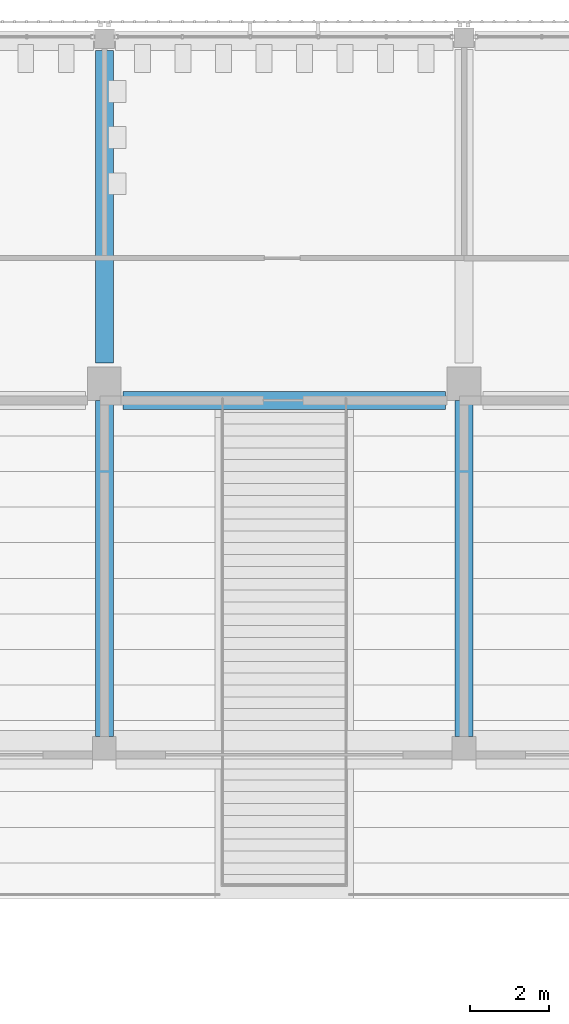
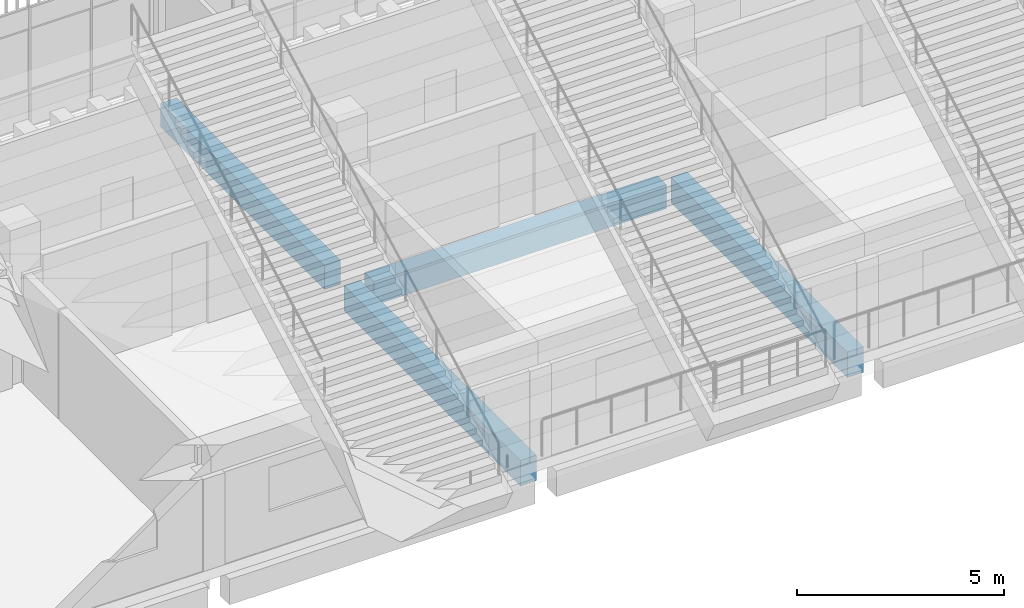
# One storey, part 46 of 139: 4 beams.
"""IFC4 building model written with IfcOpenShell, lengths in metres."""

from ifc_helpers import new_model, si_unit, direction, frame, origin, origin_2d, place, context, subcontext, project, spatial, rectangle, extrude, material, material_profile, profile_set, type_object, element, save


model = new_model("IFC4")

# Units and contexts
model_context = context("Model", 3, precision=1e-05, world=origin(), true_north=direction((0.0, 1.0)))
body_context = subcontext(model_context, "Body", "Model", "MODEL_VIEW")
ifc_project = project(units=[si_unit("LENGTHUNIT", "METRE"), si_unit("AREAUNIT", "SQUARE_METRE"), si_unit("VOLUMEUNIT", "CUBIC_METRE"), si_unit("PLANEANGLEUNIT", "RADIAN"), si_unit("MASSUNIT", "GRAM", prefix="KILO")], contexts=[model_context])

# Site, building, storey
site_placement = place(None, origin())
site = spatial("IfcSite", under=ifc_project, at=site_placement, CompositionType="ELEMENT")
building_placement = place(site_placement, origin())
building = spatial("IfcBuilding", under=site, at=building_placement, Name="Shirokan Park Arena", CompositionType="ELEMENT")
storey_placement = place(building_placement, frame((0.0, 0.0, 15.469970703125)))
storey = spatial("IfcBuildingStorey", under=building, at=storey_placement, Name="L03", CompositionType="ELEMENT", Elevation=15.469970703125)

# Beams
ifc_material = material(Name="Concrete C35", Category="concrete")
ifc_material_profile_1 = material_profile(ifc_material, rectangle(XDim=0.449951171875, YDim=0.699951171875, at=origin_2d()), Name="450x700")
ifc_profile_set_1 = profile_set([ifc_material_profile_1], Name="Concrete C35")
beam_type_1 = type_object("IfcBeamType", Name="RC girder 450x700", PredefinedType="BEAM", material=ifc_profile_set_1)
beam_1_placement = place(storey_placement, frame((82.375, 100.10009765625, -0.64990234375), z_axis=(1.0, 0.0, 0.0), x_axis=(0.0, 1.0, 0.0)))
element("IfcBeam", 1, at=beam_1_placement, inside=storey, type_object=beam_type_1, Name="Girder 10M-11M L03", PredefinedType="BEAM", context=body_context, shape_type="SweptSolid", body=[
    extrude(rectangle(XDim=0.449951171875, YDim=0.699951171875, at=origin_2d()), origin(), (0.0, 0.0, 1.0), 8.14990234375),
])
beam_2_placement = place(storey_placement, frame((81.89990234375, 101.050048828125, -0.64990234375), z_axis=(0.0, 1.0, 0.0), x_axis=(-1.0, 0.0, 0.0)))
element("IfcBeam", 2, at=beam_2_placement, inside=storey, type_object=beam_type_1, Name="Girder 10M-10N L03", PredefinedType="BEAM", context=body_context, shape_type="SweptSolid", body=[
    extrude(rectangle(XDim=0.449951171875, YDim=0.699951171875, at=origin_2d()), origin(), (0.0, 0.0, 1.0), 7.89990234375),
])
ifc_material_profile_2 = material_profile(ifc_material, rectangle(XDim=0.449951171875, YDim=0.75, at=origin_2d()), Name="450x750")
ifc_profile_set_2 = profile_set([ifc_material_profile_2], Name="Concrete C35")
beam_type_2 = type_object("IfcBeamType", Name="RC girder 450x750", PredefinedType="BEAM", material=ifc_profile_set_2)
for number, where, z_axis, x_axis, name in (
    (3, (81.89990234375, 91.60009765625, -0.675048828125), (0.0, 1.0, 0.0), (-1.0, 0.0, 0.0), "Girder 10L-10M L03"),
    (4, (91.0, 91.60009765625, -0.675048828125), (0.0, 1.0, 0.0), (-1.0, 0.0, 0.0), "Girder 11L-11M L03"),
):
    element("IfcBeam", number, at=place(storey_placement, frame(where, z_axis=z_axis, x_axis=x_axis)), inside=storey, type_object=beam_type_2, Name=name, PredefinedType="BEAM", context=body_context, shape_type="SweptSolid", body=[
        extrude(rectangle(XDim=0.449951171875, YDim=0.75, at=origin_2d()), origin(), (0.0, 0.0, 1.0), 8.499755859375),
    ])

save(model, "model.ifc")
